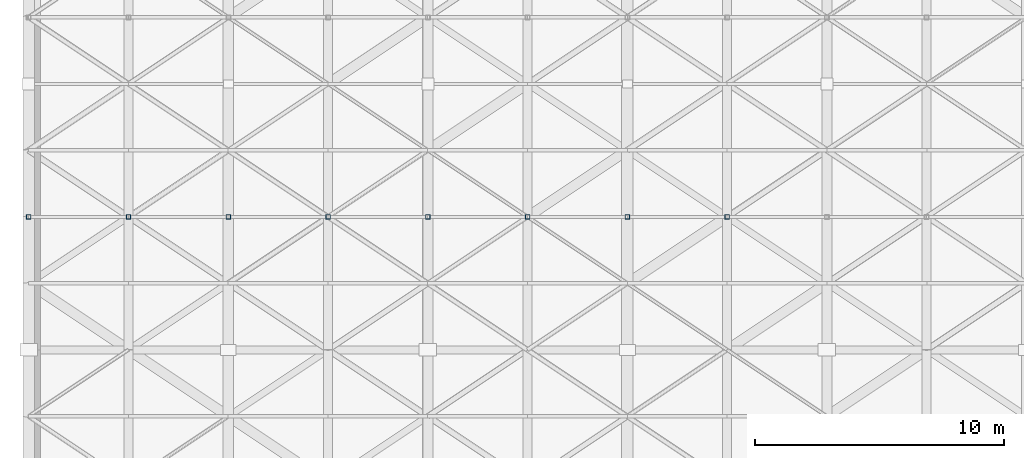
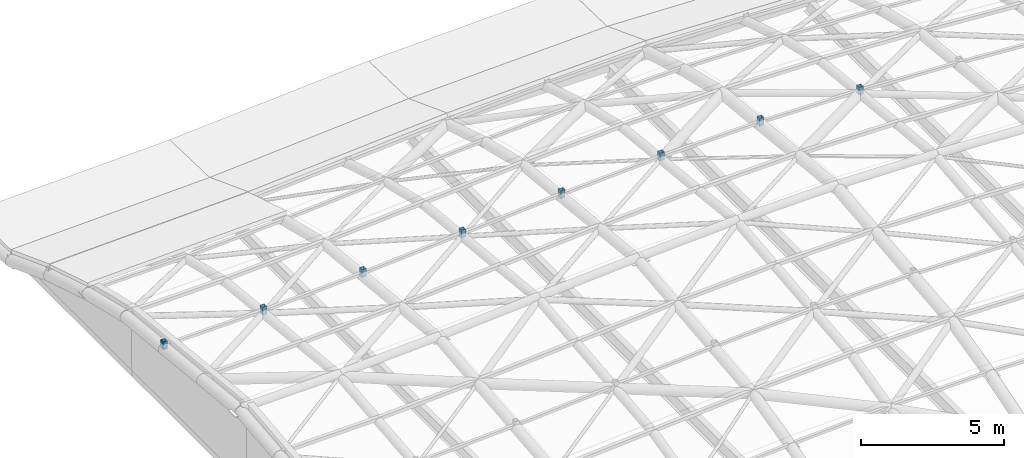
# One storey, part 14 of 20: 8 members.
"""IFC4 building model written with IfcOpenShell, lengths in metres."""

from ifc_helpers import new_model, si_unit, direction, frame, origin, origin_2d, place, context, subcontext, project, spatial, hollow_rectangle, extrude, material, material_profile, profile_set, type_object, element, save


model = new_model("IFC4")

# Units and contexts
model_context = context("Model", 3, precision=1e-05, world=origin(), true_north=direction((0.0, 1.0)))
body_context = subcontext(model_context, "Body", "Model", "MODEL_VIEW")
ifc_project = project(units=[si_unit("LENGTHUNIT", "METRE"), si_unit("AREAUNIT", "SQUARE_METRE"), si_unit("VOLUMEUNIT", "CUBIC_METRE"), si_unit("PLANEANGLEUNIT", "RADIAN"), si_unit("MASSUNIT", "GRAM", prefix="KILO")], contexts=[model_context])

# Site, building, storey
site_placement = place(None, origin())
site = spatial("IfcSite", under=ifc_project, at=site_placement, CompositionType="ELEMENT")
building_placement = place(site_placement, origin())
building = spatial("IfcBuilding", under=site, at=building_placement, Name="Tenunan Teduh Sports Hall", CompositionType="ELEMENT")
storey_placement = place(building_placement, frame((0.0, 0.0, 23.39990234375)))
storey = spatial("IfcBuildingStorey", under=building, at=storey_placement, Name="RF", CompositionType="ELEMENT", Elevation=23.39990234375)

# Members
ifc_material = material(Name="Steel S355", Category="steel")
ifc_material_profile = material_profile(ifc_material, hollow_rectangle(XDim=0.179931640625, YDim=0.179931640625, WallThickness=0.010009765625, at=origin_2d()), Name="SHS 180x180x10.0")
ifc_profile_set = profile_set([ifc_material_profile], Name="Steel S355")
member_type = type_object("IfcMemberType", Name="MEM-ST-SHS180", PredefinedType="STRUT", material=ifc_profile_set)
for number, where, z_axis, x_axis, name in (
    (1, (6.0, 35.333251953125, 2.3701171875), (0.0, 0.0, 1.0), (1.0, 0.0, 0.0), "MEM-VS-03-RF-0414"),
    (2, (10.0, 35.333251953125, 2.4443359375), (0.0, 0.0, 1.0), (1.0, 0.0, 0.0), "MEM-VS-03-RF-0422"),
    (3, (14.0, 35.333251953125, 2.6435546875), (0.0, 0.0, 1.0), (1.0, 0.0, 0.0), "MEM-VS-03-RF-0430"),
    (4, (18.0, 35.333251953125, 2.9208984375), (0.0, 0.0, 1.0), (1.0, 0.0, 0.0), "MEM-VS-03-RF-0438"),
    (5, (22.0, 35.333251953125, 3.1943359375), (0.0, 0.0, 1.0), (1.0, 0.0, 0.0), "MEM-VS-03-RF-0446"),
    (6, (26.0, 35.333251953125, 3.3974609375), (0.0, 0.0, 1.0), (1.0, 0.0, 0.0), "MEM-VS-03-RF-0454"),
    (7, (30.0, 35.333251953125, 3.4716796875), (0.0, 0.0, 1.0), (1.0, 0.0, 0.0), "MEM-VS-03-RF-0462"),
    (8, (34.0, 35.333251953125, 3.3974609375), (0.0, 0.0, 1.0), (1.0, 0.0, 0.0), "MEM-VS-03-RF-0470"),
):
    element("IfcMember", number, at=place(storey_placement, frame(where, z_axis=z_axis, x_axis=x_axis)), inside=storey, type_object=member_type, Name=name, PredefinedType="STRUT", context=body_context, shape_type="SweptSolid", body=[
        extrude(hollow_rectangle(XDim=0.179931640625, YDim=0.179931640625, WallThickness=0.010009765625, at=origin_2d()), origin(), (0.0, 0.0, 1.0), 0.330078125),
    ])

save(model, "model.ifc")
